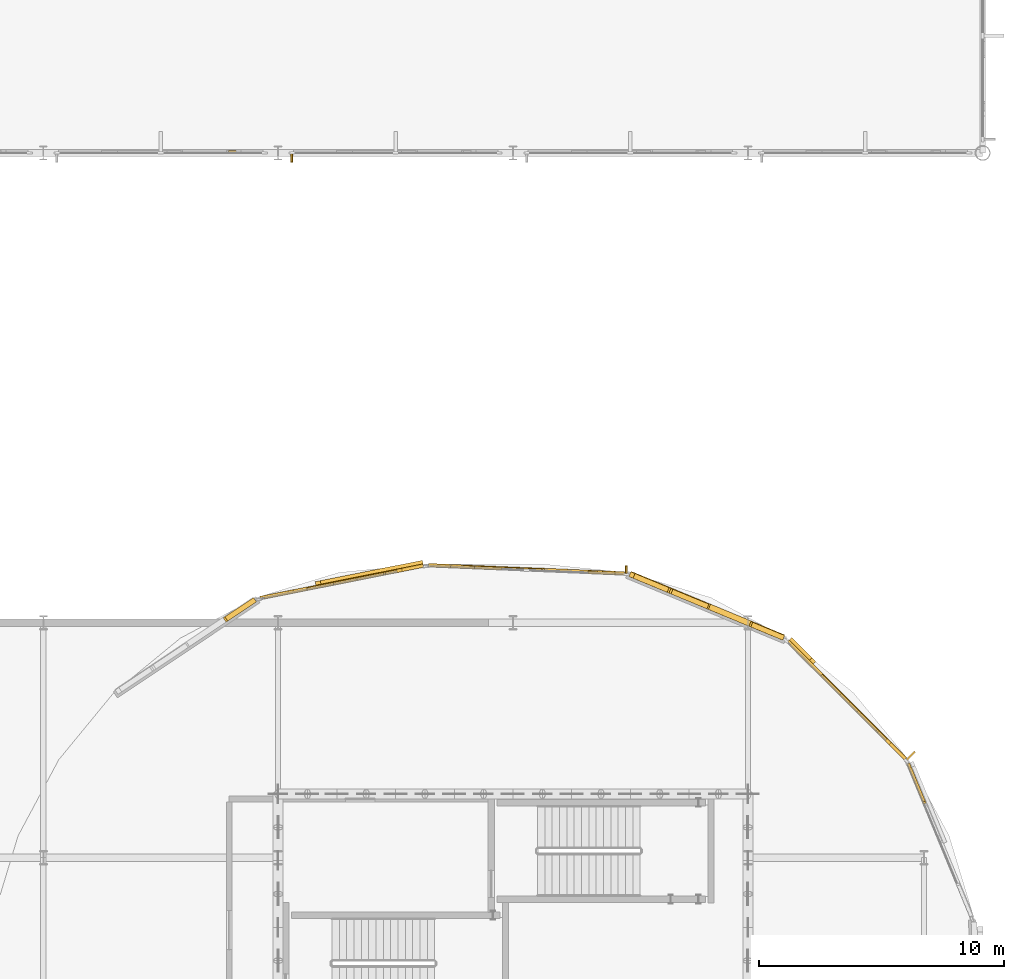
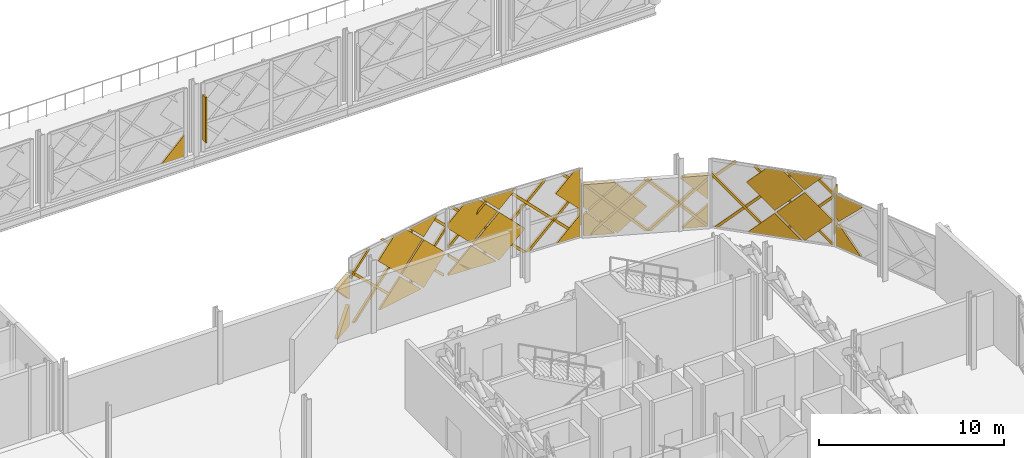
# One storey, part 73 of 77: 47 coverings, 3 shading devices.
"""IFC4 building model written with IfcOpenShell, lengths in metres."""

import ifcopenshell
import ifcopenshell.guid

model = None  # the IFC model being written
_history = None  # IfcOwnerHistory: only IFC2X3 demands one
_inside = {}  # id of a spatial element -> (the spatial element, [elements in it])
_under = {}  # id of a project, library or spatial element -> (it, [spatial elements below it])
_declared = {}  # id of a project -> (the project, [libraries it declares])
_typed = {}  # id of a type object -> (the type object, [elements of that type])
_made_of = {}  # id of a material, layer set ... -> (it, [elements and type objects made of it])


def new_model(schema):
    """Start an empty IFC model of exactly this schema.

    Asked for "IFC4X3", IfcOpenShell would pick the latest addendum, in which some entities
    have other attributes; the version numbers below select the first issue.
    IFC2X3 requires an IfcOwnerHistory on every rooted entity: one is made here for all.
    """
    global model, _history
    if schema == "IFC4X3":
        model = ifcopenshell.file(schema_version=(4, 3, 0, 0))
    else:
        model = ifcopenshell.file(schema=schema)
    _inside.clear()
    _under.clear()
    _declared.clear()
    _typed.clear()
    _made_of.clear()
    _history = None
    if model.schema == "IFC2X3":
        org = make("IfcOrganization", Name="unknown")
        user = make(
            "IfcPersonAndOrganization",
            ThePerson=make("IfcPerson", FamilyName="unknown"),
            TheOrganization=org,
        )
        app = make(
            "IfcApplication",
            ApplicationDeveloper=org,
            Version="unknown",
            ApplicationFullName="unknown",
            ApplicationIdentifier="unknown",
        )
        _history = make(
            "IfcOwnerHistory",
            OwningUser=user,
            OwningApplication=app,
            ChangeAction="ADDED",
            CreationDate=0,
        )
    return model


def make(cls, **values):
    """One entity of the class cls with the attributes given. An attribute that is None is left unset."""
    return model.create_entity(
        cls, **{name: value for name, value in values.items() if value is not None}
    )


def rooted(cls, **values):
    """An entity with a GlobalId (a new one), such as an element, a storey or a relation."""
    return make(cls, GlobalId=ifcopenshell.guid.new(), OwnerHistory=_history, **values)


def si_unit(unit_type, name, prefix=None):
    """IfcSIUnit, for example si_unit("LENGTHUNIT", "METRE", prefix="MILLI")."""
    return make("IfcSIUnit", UnitType=unit_type, Prefix=prefix, Name=name)


def assignment(units):
    """IfcUnitAssignment: the units of a project."""
    return None if units is None else make("IfcUnitAssignment", Units=units)


def point(xyz):
    """IfcCartesianPoint."""
    return None if xyz is None else make("IfcCartesianPoint", Coordinates=xyz)


def direction(xyz):
    """IfcDirection."""
    return None if xyz is None else make("IfcDirection", DirectionRatios=xyz)


def frame(location, z_axis=None, x_axis=None):
    """IfcAxis2Placement3D, a coordinate frame: its origin and axes. An axis left out is left unset."""
    return make(
        "IfcAxis2Placement3D",
        Location=point(location),
        Axis=direction(z_axis),
        RefDirection=direction(x_axis),
    )


def frame_2d(location, x_axis=None):
    """IfcAxis2Placement2D, a coordinate frame in the plane: its origin and x axis."""
    return make(
        "IfcAxis2Placement2D", Location=point(location), RefDirection=direction(x_axis)
    )


def origin():
    """The frame at (0, 0, 0) with its axes left unset."""
    return frame((0.0, 0.0, 0.0))


def origin_2d():
    """The frame at (0, 0) in the plane with its x axis left unset."""
    return frame_2d((0.0, 0.0))


def place(relative_to, where):
    """IfcLocalPlacement: puts the frame where relative to a parent placement (None: the world)."""
    return make(
        "IfcLocalPlacement", PlacementRelTo=relative_to, RelativePlacement=where
    )


def context(
    kind, dimensions, precision=None, world=None, true_north=None, identifier=None
):
    """IfcGeometricRepresentationContext, for example the 3D "Model" context."""
    return make(
        "IfcGeometricRepresentationContext",
        ContextIdentifier=identifier,
        ContextType=kind,
        CoordinateSpaceDimension=dimensions,
        Precision=precision,
        WorldCoordinateSystem=world,
        TrueNorth=true_north,
    )


def subcontext(parent, identifier, kind, view, scale=None):
    """IfcGeometricRepresentationSubContext, for example "Body" below "Model"."""
    return make(
        "IfcGeometricRepresentationSubContext",
        ContextIdentifier=identifier,
        ContextType=kind,
        ParentContext=parent,
        TargetScale=scale,
        TargetView=view,
    )


def project(units=None, contexts=None):
    """IfcProject with its units and contexts."""
    return rooted(
        "IfcProject",
        Name="project",
        RepresentationContexts=contexts,
        UnitsInContext=assignment(units),
    )


def spatial(cls, under=None, at=None, **own):
    """A site, building, storey or space (cls), placed at a placement, below another one or the project."""
    s = rooted(cls, ObjectPlacement=at, **own)
    if under is not None:
        _under.setdefault(under.id(), (under, []))[1].append(s)
    return s


def polyline(points):
    """IfcPolyline through the points."""
    return make("IfcPolyline", Points=[point(p) for p in points])


def profile(cls, at=None, kind="AREA", **sizes):
    """A parametric profile (cls). Its sizes go by their IFC names, for example OverallWidth=200.0."""
    return make(cls, ProfileType=kind, Position=at, **sizes)


def rectangle(**sizes):
    """IfcRectangleProfileDef."""
    return profile("IfcRectangleProfileDef", **sizes)


def outline(outer, holes=None, kind="AREA"):
    """IfcArbitraryClosedProfileDef: a profile drawn as a closed curve; with holes, ...WithVoids."""
    if holes is None:
        return make("IfcArbitraryClosedProfileDef", ProfileType=kind, OuterCurve=outer)
    return make(
        "IfcArbitraryProfileDefWithVoids",
        ProfileType=kind,
        OuterCurve=outer,
        InnerCurves=holes,
    )


def extrude(swept, where, along, depth):
    """IfcExtrudedAreaSolid: the profile swept, set in the frame where, extruded along a direction by depth."""
    return make(
        "IfcExtrudedAreaSolid",
        SweptArea=swept,
        Position=where,
        ExtrudedDirection=direction(along),
        Depth=depth,
    )


def shape(context_of_items, identifier, shape_type, items):
    """IfcShapeRepresentation: the items that make up one representation, for example the "Body"."""
    return make(
        "IfcShapeRepresentation",
        ContextOfItems=context_of_items,
        RepresentationIdentifier=identifier,
        RepresentationType=shape_type,
        Items=items,
    )


def material(Name=None, Category=None):
    """IfcMaterial."""
    return make("IfcMaterial", Name=Name, Category=Category)


def layer(
    of_material, thickness, ventilated=None, Name=None, Category=None, Priority=None
):
    """IfcMaterialLayer: one layer of a wall or slab, of a material (None: an air gap)."""
    return make(
        "IfcMaterialLayer",
        Material=of_material,
        LayerThickness=thickness,
        IsVentilated=ventilated,
        Name=Name,
        Category=Category,
        Priority=Priority,
    )


def layer_set(layers, Name=None):
    """IfcMaterialLayerSet."""
    return make("IfcMaterialLayerSet", MaterialLayers=layers, LayerSetName=Name)


def made_of(thing, what):
    """Note that an element or type object is made of a material, layer set ...; save() writes the relation."""
    if what is not None:
        _made_of.setdefault(what.id(), (what, []))[1].append(thing)
    return thing


def type_object(cls, material=None, **own):
    """A type object (cls), such as IfcWallType, which elements share."""
    return made_of(rooted(cls, **own), material)


def element(
    cls,
    number,
    at=None,
    inside=None,
    cuts=None,
    type_object=None,
    material=None,
    context=None,
    identifier="Body",
    shape_type=None,
    held_by="IfcProductDefinitionShape",
    body=None,
    shapes=None,
    **own,
):
    """One element of the class cls, such as IfcWall. Its Tag is "e" and its number.

    at: its placement. inside: the storey or other place that contains it. cuts: it is an
    opening in that element (IfcRelVoidsElement). A single representation is given by context,
    identifier, shape_type and body (its items); several are given by shapes. held_by: the class
    of the entity that holds the representations. save() writes the other relations.
    """
    e = rooted(cls, Tag="e%d" % number, ObjectPlacement=at, **own)
    if body is not None:
        shapes = [shape(context, identifier, shape_type, body)]
    if shapes is not None:
        e.Representation = make(held_by, Representations=shapes)
    if inside is not None:
        _inside.setdefault(inside.id(), (inside, []))[1].append(e)
    if cuts is not None:
        rooted(
            "IfcRelVoidsElement", RelatingBuildingElement=cuts, RelatedOpeningElement=e
        )
    if type_object is not None:
        _typed.setdefault(type_object.id(), (type_object, []))[1].append(e)
    return made_of(e, material)


def aggregate(whole, parts):
    """IfcRelAggregates: a whole, such as a stair, and the parts it consists of."""
    return rooted("IfcRelAggregates", RelatingObject=whole, RelatedObjects=parts)


def save(model, path):
    """Write the relations noted so far, then the file.

    IfcRelAggregates (storeys below a building ...), IfcRelContainedInSpatialStructure (elements
    in a storey), IfcRelDefinesByType, IfcRelAssociatesMaterial and IfcRelDeclares: one each for
    every whole, place, type object, material and project.
    """
    for whole, parts in _under.values():
        aggregate(whole, parts)
    for where, things in _inside.values():
        rooted(
            "IfcRelContainedInSpatialStructure",
            RelatedElements=things,
            RelatingStructure=where,
        )
    for kind, things in _typed.values():
        rooted("IfcRelDefinesByType", RelatedObjects=things, RelatingType=kind)
    for what, things in _made_of.values():
        rooted("IfcRelAssociatesMaterial", RelatedObjects=things, RelatingMaterial=what)
    for by, libraries in _declared.values():
        rooted("IfcRelDeclares", RelatingContext=by, RelatedDefinitions=libraries)
    model.write(path)


model = new_model("IFC4")

# Units and contexts
model_context = context("Model", 3, precision=1e-05, world=origin(), true_north=direction((0.0, 1.0)))
body_context = subcontext(model_context, "Body", "Model", "MODEL_VIEW")
ifc_project = project(units=[si_unit("LENGTHUNIT", "METRE"), si_unit("AREAUNIT", "SQUARE_METRE"), si_unit("VOLUMEUNIT", "CUBIC_METRE"), si_unit("PLANEANGLEUNIT", "RADIAN"), si_unit("MASSUNIT", "GRAM", prefix="KILO")], contexts=[model_context])

# Site, building, storey
site_placement = place(None, origin())
site = spatial("IfcSite", under=ifc_project, at=site_placement, CompositionType="ELEMENT")
building_placement = place(site_placement, origin())
building = spatial("IfcBuilding", under=site, at=building_placement, Name="Zevrakil Square Congress Hotel", CompositionType="ELEMENT")
storey_placement = place(building_placement, frame((0.0, 0.0, 9.89990234375)))
storey = spatial("IfcBuildingStorey", under=building, at=storey_placement, Name="L03", CompositionType="ELEMENT", Elevation=9.89990234375)

# Coverings
ifc_material_1 = material(Name="Architectural White Fibre-C GRC", Category="concrete")
ifc_layer_1 = layer(ifc_material_1, 0.06494140625)
ifc_layer_set_1 = layer_set([ifc_layer_1], Name="Architectural White Fibre-C GRC")
covering_type_1 = type_object("IfcCoveringType", Name="COV-DIA-WHITE", PredefinedType="CLADDING", material=ifc_layer_set_1)
covering_1_placement = place(storey_placement, frame((134.77001953125, 64.89501953125, 0.080078125), z_axis=(0.0, 0.999999760125, 0.000692640526), x_axis=(1.0, 0.0, 0.0)))
element("IfcCovering", 1, at=covering_1_placement, inside=storey, type_object=covering_type_1, Name="L03 45-degree white GRC diamond facade cassette 1076", PredefinedType="CLADDING", context=body_context, shape_type="SweptSolid", body=[
    extrude(outline(polyline([(0.0, 0.0), (1.409912109375, 0.0), (1.409912109375, -1.4099124475784228), (0.0, 0.0)])), origin(), (0.0, 0.0, -1.0), 0.1201171875),
])
covering_2_placement = place(storey_placement, frame((162.680419921875, 39.702392578125, 1.590087890625), z_axis=(0.923895314836, 0.382644956213, 0.000533581003), x_axis=(-0.270030659296, 0.652975094323, -0.707606507343)))
element("IfcCovering", 2, at=covering_2_placement, inside=storey, type_object=covering_type_1, Name="L03 45-degree white GRC diamond facade cassette 2131", PredefinedType="CLADDING", context=body_context, shape_type="SweptSolid", body=[
    extrude(outline(polyline([(0.0, 0.0), (0.2625624975971287, -2.7755575615628914e-17), (1.1997093613763437, -0.9355809979847188), (0.0015617436959354247, -2.1354241456275784), (0.0, 0.0)])), origin(), (0.0, 0.0, -1.0), 0.1201171875),
])
covering_3_placement = place(storey_placement, frame((162.68017578125, 39.7021484375, 1.77001953125), z_axis=(0.92389883176, 0.38263639408, 0.000581891654), x_axis=(0.270164350421, -0.653403654101, 0.707159733419)))
element("IfcCovering", 3, at=covering_3_placement, inside=storey, type_object=covering_type_1, Name="L03 45-degree white GRC diamond facade cassette 2134", PredefinedType="CLADDING", context=body_context, shape_type="SweptSolid", body=[
    extrude(outline(polyline([(0.0, 0.0), (2.2485555268516664, 0.0), (2.248618694885084, -0.13425579736961657), (1.060163240113101, -1.3228895909740315), (-2.006885359270849e-05, -0.2627880827285959), (0.0, 0.0)])), origin(), (0.0, 0.0, -1.0), 0.1201171875),
])
covering_4_placement = place(storey_placement, frame((160.174560546875, 42.372802734375, 1.590087890625), z_axis=(0.707106665659, 0.707106665659, 0.000571630288), x_axis=(-0.499716692516, 0.500288319938, -0.707103121302)))
element("IfcCovering", 4, at=covering_4_placement, inside=storey, type_object=covering_type_1, Name="L03 45-degree white GRC diamond facade cassette 2139", PredefinedType="CLADDING", context=body_context, shape_type="SweptSolid", body=[
    extrude(outline(polyline([(0.0, 0.0), (2.1354873428434074, 0.0), (-2.1408116838594893e-05, -2.1354873427360994), (0.0, 0.0)])), origin(), (0.0, 0.0, -1.0), 0.1201171875),
])
covering_5_placement = place(storey_placement, frame((161.36181640625, 41.18408203125, 3.27001953125), z_axis=(0.707145162366, 0.707068147318, 0.000595307577), x_axis=(-0.499692481181, 0.500342227839, -0.707082088086)))
element("IfcCovering", 5, at=covering_5_placement, inside=storey, type_object=covering_type_1, Name="L03 45-degree white GRC diamond facade cassette 2140", PredefinedType="CLADDING", context=body_context, shape_type="SweptSolid", body=[
    extrude(outline(polyline([(0.0, 0.0), (2.2484571147202486, 2.220446049250313e-16), (2.2483515023374236, -2.2487517419299765), (0.013879810001214299, -2.248577487925134), (-0.00027564195754137266, -2.234421052311618), (0.0, 0.0)])), origin(), (0.0, 0.0, -1.0), 0.1201171875),
])
covering_6_placement = place(storey_placement, frame((159.049560546875, 43.49609375, 3.360107421875), z_axis=(0.707106668087, 0.707106668087, 0.000565592401), x_axis=(0.500261775638, -0.499696159446, -0.707136411218)))
element("IfcCovering", 6, at=covering_6_placement, inside=storey, type_object=covering_type_1, Name="L03 45-degree white GRC diamond facade cassette 2141", PredefinedType="CLADDING", context=body_context, shape_type="SweptSolid", body=[
    extrude(outline(polyline([(0.0, 0.0), (2.248629744671379, -2.220446049250313e-16), (2.2484405718074747, -2.2486297367140065), (0.6928440094092349, -2.2487409365210675), (-0.0002420691316359358, -1.5555965475383242), (0.0, 0.0)])), origin(), (0.0, 0.0, -1.0), 0.1201171875),
])
covering_7_placement = place(storey_placement, frame((161.36181640625, 41.18408203125, 3.4501953125), z_axis=(0.707167000742, 0.707046138154, 0.00076914415), x_axis=(0.499589643819, -0.50044422754, 0.707082571494)))
element("IfcCovering", 7, at=covering_7_placement, inside=storey, type_object=covering_type_1, Name="L03 45-degree white GRC diamond facade cassette 2142", PredefinedType="CLADDING", context=body_context, shape_type="SweptSolid", body=[
    extrude(outline(polyline([(0.0, 0.0), (1.428418414402128, 1.1102230246251565e-16), (2.5203543360552416e-05, -1.4282962510532298), (0.0, 0.0)])), origin(), (0.0, 0.0, -1.0), 0.1201171875),
])
covering_8_placement = place(storey_placement, frame((156.2001953125, 45.618896484375, 0.080078125), z_axis=(0.382647378607, 0.923894304185, 0.000546204379), x_axis=(0.923894442002, -0.382647435687, 0.0)))
element("IfcCovering", 8, at=covering_8_placement, inside=storey, type_object=covering_type_1, Name="L03 45-degree white GRC diamond facade cassette 2149", PredefinedType="CLADDING", context=body_context, shape_type="SweptSolid", body=[
    extrude(outline(polyline([(0.0, 0.0), (1.4100467713356626, 5.421010862427522e-20), (1.4101014705214678, -1.4099123196910894), (0.0, 0.0)])), origin(), (0.0, 0.0, -1.0), 0.2099609375),
])
covering_9_placement = place(storey_placement, frame((151.386474609375, 47.61181640625, 1.590087890625), z_axis=(0.382570018868, 0.923926368417, 0.000496394352), x_axis=(-0.653279316643, 0.270883091636, -0.706999635865)))
element("IfcCovering", 9, at=covering_9_placement, inside=storey, type_object=covering_type_1, Name="L03 45-degree white GRC diamond facade cassette 2150", PredefinedType="CLADDING", context=body_context, shape_type="SweptSolid", body=[
    extrude(outline(polyline([(0.0, 0.0), (0.2627880725709064, 0.0), (1.198983021740163, -0.9365332884107176), (-0.0003536551855745085, -2.13550696018273), (0.0, 0.0)])), origin(), (0.0, 0.0, -1.0), 0.2099609375),
])
covering_10_placement = place(storey_placement, frame((152.938232421875, 46.968017578125, 3.27001953125), z_axis=(0.382706563363, 0.923869766001, 0.000584660887), x_axis=(-0.653132129018, 0.271002872301, -0.707089715135)))
element("IfcCovering", 10, at=covering_10_placement, inside=storey, type_object=covering_type_1, Name="L03 45-degree white GRC diamond facade cassette 2151", PredefinedType="CLADDING", context=body_context, shape_type="SweptSolid", body=[
    extrude(outline(polyline([(0.0, 0.0), (2.248432898013327, 0.0), (2.248481729332658, -2.248621490819346), (-0.00028325409183871386, -2.248608378917324), (0.0, 0.0)])), origin(), (0.0, 0.0, -1.0), 0.2099609375),
])
covering_11_placement = place(storey_placement, frame((156.12548828125, 45.647705078125, 3.360107421875), z_axis=(0.382684320665, 0.923878984433, 0.000576923921), x_axis=(0.653442514955, -0.270223985644, -0.707101037499)))
element("IfcCovering", 11, at=covering_11_placement, inside=storey, type_object=covering_type_1, Name="L03 45-degree white GRC diamond facade cassette 2152", PredefinedType="CLADDING", context=body_context, shape_type="SweptSolid", body=[
    extrude(outline(polyline([(0.0, 0.0), (2.1071815797664835, 0.0), (0.9865584152119449, -1.1208505266723334), (0.00010751358829294566, -0.13441525572816707), (0.0, 0.0)])), origin(), (0.0, 0.0, -1.0), 0.2099609375),
])
covering_12_placement = place(storey_placement, frame((151.386474609375, 47.61181640625, 1.77001953125), z_axis=(0.382626980656, 0.923902752355, 0.000545770958), x_axis=(0.653115792218, -0.270900440166, 0.707144054259)))
element("IfcCovering", 12, at=covering_12_placement, inside=storey, type_object=covering_type_1, Name="L03 45-degree white GRC diamond facade cassette 2153", PredefinedType="CLADDING", context=body_context, shape_type="SweptSolid", body=[
    extrude(outline(polyline([(0.0, 0.0), (2.2486055210527374, -2.220446049250313e-16), (2.248665653405223, -0.1342557418905992), (1.0603433394642547, -1.3227036878188894), (0.00010622453949046817, -0.2626559885711962), (0.0, 0.0)])), origin(), (0.0, 0.0, -1.0), 0.2099609375),
])
covering_13_placement = place(storey_placement, frame((149.552978515625, 47.72314453125, 0.080078125), z_axis=(0.041896976357, 0.999121696523, 0.000692032344), x_axis=(0.999121935767, -0.04189698639, 0.0)))
element("IfcCovering", 13, at=covering_13_placement, inside=storey, type_object=covering_type_1, Name="L03 45-degree white GRC diamond facade cassette 2158", PredefinedType="CLADDING", context=body_context, shape_type="SweptSolid", body=[
    extrude(outline(polyline([(0.0, 0.0), (1.4101737700243122, 0.0), (1.4102146850500834, -1.409912446984755), (0.0, 0.0)])), origin(), (0.0, 0.0, -1.0), 0.1201171875),
])
covering_14_placement = place(storey_placement, frame((144.34765625, 47.94091796875, 1.590087890625), z_axis=(0.041974445803, 0.999118441306, 0.000697238175), x_axis=(-0.706474717837, 0.030173497941, -0.70709478366)))
element("IfcCovering", 14, at=covering_14_placement, inside=storey, type_object=covering_type_1, Name="L03 45-degree white GRC diamond facade cassette 2159", PredefinedType="CLADDING", context=body_context, shape_type="SweptSolid", body=[
    extrude(outline(polyline([(0.0, 0.0), (1.9797943070048898, 1.1102230246251565e-16), (2.057658057231639, -0.07785186199873095), (-8.714227631179128e-05, -2.135528070962346), (0.0, 0.0)])), origin(), (0.0, 0.0, -1.0), 0.1201171875),
])
covering_15_placement = place(storey_placement, frame((146.026123046875, 47.869384765625, 3.27001953125), z_axis=(0.041994571598, 0.999117650418, 0.000613661513), x_axis=(-0.706515368195, 0.030130288723, -0.707056009242)))
element("IfcCovering", 15, at=covering_15_placement, inside=storey, type_object=covering_type_1, Name="L03 45-degree white GRC diamond facade cassette 2160", PredefinedType="CLADDING", context=body_context, shape_type="SweptSolid", body=[
    extrude(outline(polyline([(0.0, 0.0), (2.248540149730517, -2.220446049250313e-16), (2.2484486237040513, -2.24865467342334), (-0.0002567910949526908, -2.2484748843031896), (0.0, 0.0)])), origin(), (0.0, 0.0, -1.0), 0.1201171875),
])
covering_16_placement = place(storey_placement, frame((149.47314453125, 47.724609375, 3.360107421875), z_axis=(0.041945250307, 0.99911969038, 0.000663529392), x_axis=(0.706515841196, -0.029191503105, -0.707094917452)))
element("IfcCovering", 16, at=covering_16_placement, inside=storey, type_object=covering_type_1, Name="L03 45-degree white GRC diamond facade cassette 2161", PredefinedType="CLADDING", context=body_context, shape_type="SweptSolid", body=[
    extrude(outline(polyline([(0.0, 0.0), (2.1071997411136385, -2.220446049250313e-16), (0.2758116457223294, -1.8315501209972953), (-0.00013113481908288982, -1.555616488631129), (0.0, 0.0)])), origin(), (0.0, 0.0, -1.0), 0.1201171875),
])
covering_17_placement = place(storey_placement, frame((144.34765625, 47.94091796875, 1.77001953125), z_axis=(0.041943184535, 0.999119821487, 0.000592945043), x_axis=(0.706461025173, -0.030076977151, 0.707112576155)))
element("IfcCovering", 17, at=covering_17_placement, inside=storey, type_object=covering_type_1, Name="L03 45-degree white GRC diamond facade cassette 2162", PredefinedType="CLADDING", context=body_context, shape_type="SweptSolid", body=[
    extrude(outline(polyline([(0.0, 0.0), (2.248705425285876, -4.440892098500626e-16), (2.248746298106704, -1.5557455147050638), (1.5557047499844812, -2.2487985396918964), (0.2686616093494628, -2.24869702634159), (3.4352153584382705e-05, -1.9800887480250475), (0.0, 0.0)])), origin(), (0.0, 0.0, -1.0), 0.1201171875),
])
covering_18_placement = place(storey_placement, frame((146.026123046875, 47.869384765625, 3.4501953125), z_axis=(0.041942244073, 0.999119854483, 0.000603770761), x_axis=(0.70644480279, -0.030083301546, 0.707128514189)))
element("IfcCovering", 18, at=covering_18_placement, inside=storey, type_object=covering_type_1, Name="L03 45-degree white GRC diamond facade cassette 2163", PredefinedType="CLADDING", context=body_context, shape_type="SweptSolid", body=[
    extrude(outline(polyline([(0.0, 0.0), (1.4283256089362564, 0.0), (0.0001245236092505264, -1.4282894018994583), (0.0, 0.0)])), origin(), (0.0, 0.0, -1.0), 0.1201171875),
])
covering_19_placement = place(storey_placement, frame((139.53125, 47.3466796875, 1.590087890625), z_axis=(-0.195074358725, 0.980788280172, 0.000586553491), x_axis=(-0.693609627274, -0.137532945708, -0.707099974401)))
element("IfcCovering", 19, at=covering_19_placement, inside=storey, type_object=covering_type_1, Name="L03 45-degree white GRC diamond facade cassette 2171", PredefinedType="CLADDING", context=body_context, shape_type="SweptSolid", body=[
    extrude(outline(polyline([(0.0, 0.0), (2.135496846686384, 0.0), (6.252147105900718e-05, -2.1353939480228528), (0.0, 0.0)])), origin(), (0.0, 0.0, -1.0), 0.1201171875),
])
covering_20_placement = place(storey_placement, frame((141.17919921875, 47.673583984375, 3.27001953125), z_axis=(-0.195079289545, 0.980787317626, 0.000555314789), x_axis=(-0.693673429801, -0.137571819417, -0.707029820651)))
element("IfcCovering", 20, at=covering_20_placement, inside=storey, type_object=covering_type_1, Name="L03 45-degree white GRC diamond facade cassette 2172", PredefinedType="CLADDING", context=body_context, shape_type="SweptSolid", body=[
    extrude(outline(polyline([(0.0, 0.0), (2.2486233472368493, -2.220446049250313e-16), (2.2484100971935583, -2.2486930499518007), (0.013903541461405267, -2.248388532140485), (-0.000250864127802064, -2.2342310496561204), (0.0, 0.0)])), origin(), (0.0, 0.0, -1.0), 0.1201171875),
])
covering_21_placement = place(storey_placement, frame((137.971923828125, 47.035400390625, 3.360107421875), z_axis=(-0.195145788458, 0.980774060359, 0.000603136905), x_axis=(0.693429671849, 0.138407373498, -0.707105854282)))
element("IfcCovering", 21, at=covering_21_placement, inside=storey, type_object=covering_type_1, Name="L03 45-degree white GRC diamond facade cassette 2173", PredefinedType="CLADDING", context=body_context, shape_type="SweptSolid", body=[
    extrude(outline(polyline([(0.0, 0.0), (2.248726841858473, 0.0), (2.2486317386004364, -2.248626632208223), (0.6930002510389947, -2.2487702446865505), (3.0135921848084557e-05, -1.5558016228267455), (0.0, 0.0)])), origin(), (0.0, 0.0, -1.0), 0.1201171875),
])
covering_22_placement = place(storey_placement, frame((141.17919921875, 47.67333984375, 3.4501953125), z_axis=(-0.195070084477, 0.980789179389, 0.000497731061), x_axis=(0.693597614531, 0.137591443987, 0.707100377357)))
element("IfcCovering", 22, at=covering_22_placement, inside=storey, type_object=covering_type_1, Name="L03 45-degree white GRC diamond facade cassette 2174", PredefinedType="CLADDING", context=body_context, shape_type="SweptSolid", body=[
    extrude(outline(polyline([(0.0, 0.0), (1.4283824446539155, -1.1102230246251565e-16), (9.096872206626472e-06, -1.4283478301895025), (0.0, 0.0)])), origin(), (0.0, 0.0, -1.0), 0.1201171875),
])
covering_23_placement = place(storey_placement, frame((134.6240234375, 45.845703125, 0.080078125), z_axis=(-0.555618744269, 0.831436961663, 0.000624337381), x_axis=(0.831437123709, 0.555618852558, 0.0)))
element("IfcCovering", 23, at=covering_23_placement, inside=storey, type_object=covering_type_1, Name="L03 45-degree white GRC diamond facade cassette 2181", PredefinedType="CLADDING", context=body_context, shape_type="SweptSolid", body=[
    extrude(outline(polyline([(0.0, 0.0), (1.4100444252712594, -5.421010862427522e-20), (1.4100434530275447, -1.409912384164952), (0.0, 0.0)])), origin(), (0.0, 0.0, -1.0), 0.2099609375),
])
covering_24_placement = place(storey_placement, frame((134.55859375, 45.799560546875, 3.360107421875), z_axis=(-0.555604670177, 0.831446334138, 0.000666277863), x_axis=(0.587650947316, 0.393257789285, -0.707117158104)))
element("IfcCovering", 24, at=covering_24_placement, inside=storey, type_object=covering_type_1, Name="L03 45-degree white GRC diamond facade cassette 2184", PredefinedType="CLADDING", context=body_context, shape_type="SweptSolid", body=[
    extrude(outline(polyline([(0.0, 0.0), (2.1071334368968846, 0.0), (0.9865227408666488, -1.1208630213445665), (6.689817217096772e-05, -0.1343778250450141), (0.0, 0.0)])), origin(), (0.0, 0.0, -1.0), 0.2099609375),
])
ifc_material_2 = material(Name="Anodised Champagne Aluminium", Category="aluminium")
ifc_layer_2 = layer(ifc_material_2, 0.0849609375)
ifc_layer_set_2 = layer_set([ifc_layer_2], Name="Anodised Champagne Aluminium")
covering_type_2 = type_object("IfcCoveringType", Name="COV-DIAGRID-45", PredefinedType="MOLDING", material=ifc_layer_set_2)
covering_25_placement = place(storey_placement, frame((162.49658203125, 40.08447265625, 3.35400390625), z_axis=(0.70718069345, 0.707032505797, 0.000708912874), x_axis=(-0.000501329624, -0.000501224571, 0.999999748721)))
element("IfcCovering", 25, at=covering_25_placement, inside=storey, type_object=covering_type_2, Name="L03 45-degree aluminium diagrid rib 2143", PredefinedType="MOLDING", context=body_context, shape_type="SweptSolid", body=[
    extrude(outline(polyline([(0.0, 0.0), (0.2121581498141492, 0.0), (1.1062014498399317, -0.8938961417255511), (1.1062013432182167, -1.1060627197043602), (0.0, 0.0)])), origin(), (0.0, 0.0, -1.0), 0.14501953125),
])
covering_26_placement = place(storey_placement, frame((162.437255859375, 40.146728515625, 0.080078125), z_axis=(0.707279617714, 0.706933439069, 0.000809378157), x_axis=(0.706933669807, -0.707279850195, 1.423875e-06)))
element("IfcCovering", 26, at=covering_26_placement, inside=storey, type_object=covering_type_2, Name="L03 45-degree aluminium diagrid rib 2144", PredefinedType="MOLDING", context=body_context, shape_type="SweptSolid", body=[
    extrude(outline(polyline([(0.0, 0.0), (0.08614415193617501, -6.776263578034403e-21), (0.08614433165870775, -0.12622066178171568), (-4.167883389794898, -4.380134374627165), (-4.379877311006064, -4.380134718481223), (0.0, 0.0)])), origin(), (0.0, 0.0, -1.0), 0.14501953125),
])
covering_27_placement = place(storey_placement, frame((160.061279296875, 42.522705078125, 0.080078125), z_axis=(0.707174087826, 0.707039103479, 0.00071809405), x_axis=(0.707039285809, -0.707174270122, -6.8541e-08)))
element("IfcCovering", 27, at=covering_27_placement, inside=storey, type_object=covering_type_2, Name="L03 45-degree aluminium diagrid rib 2145", PredefinedType="MOLDING", context=body_context, shape_type="SweptSolid", body=[
    extrude(outline(polyline([(0.0, 0.0), (0.21233919357851885, 0.0), (-3.3592751264127507, -3.571778034412277), (-3.35944776183953, -3.3596197620208517), (0.0, 0.0)])), origin(), (0.0, 0.0, -1.0), 0.14501953125),
])
covering_28_placement = place(storey_placement, frame((162.496826171875, 40.08447265625, 3.154052734375), z_axis=(0.707039629863, 0.707173560627, 0.000718994408), x_axis=(-0.001083840098, 6.6919806e-05, 0.999999410406)))
element("IfcCovering", 28, at=covering_28_placement, inside=storey, type_object=covering_type_2, Name="L03 45-degree aluminium diagrid rib 2146", PredefinedType="MOLDING", context=body_context, shape_type="SweptSolid", body=[
    extrude(outline(polyline([(0.0, 0.0), (0.2121583426471989, 0.0), (-3.071300247095766, -3.2885787623122615), (-3.071472748702362, -3.0765849058833195), (0.0, 0.0)])), origin(), (0.0, 0.0, -1.0), 0.14501953125),
])
covering_29_placement = place(storey_placement, frame((161.0439453125, 41.536376953125, 4.460205078125), z_axis=(0.707106657616, 0.707106657616, 0.000591193348), x_axis=(-0.707106781388, 0.707106780985, 4.81036e-07)))
element("IfcCovering", 29, at=covering_29_placement, inside=storey, type_object=covering_type_2, Name="L03 45-degree aluminium diagrid rib 2147", PredefinedType="MOLDING", context=body_context, shape_type="SweptSolid", body=[
    extrude(outline(polyline([(0.0, 0.0), (0.21216656105428894, -1.3552527156068805e-20), (4.5922214004080235, -4.380129927598066), (4.380054839353833, -4.380129723478523), (0.0, 0.0)])), origin(), (0.0, 0.0, -1.0), 0.14501953125),
])
covering_30_placement = place(storey_placement, frame((158.66796875, 43.912109375, 4.460205078125), z_axis=(-0.707607939929, -0.706605259245, 0.000104671254), x_axis=(-0.706605263115, 0.707607943806, 1.0956e-08)))
element("IfcCovering", 30, at=covering_30_placement, inside=storey, type_object=covering_type_2, Name="L03 45-degree aluminium diagrid rib 2148", PredefinedType="MOLDING", context=body_context, shape_type="SweptSolid", body=[
    extrude(outline(polyline([(0.0, 0.0), (0.21216663012540504, 0.0), (1.3915988242826023, 1.179687521708221), (1.3915988219582742, 1.3918457236710107), (0.0, 0.0)])), origin(), (0.0, 0.0, -1.0), 0.14501953125),
])
covering_31_placement = place(storey_placement, frame((157.43310546875, 45.13525390625, 0.080078125), z_axis=(0.38310289976, 0.923705085696, 0.00104060284), x_axis=(0.92370558559, -0.383103107727, 5.66969e-07)))
element("IfcCovering", 31, at=covering_31_placement, inside=storey, type_object=covering_type_2, Name="L03 45-degree aluminium diagrid rib 2154", PredefinedType="MOLDING", context=body_context, shape_type="SweptSolid", body=[
    extrude(outline(polyline([(0.0, 0.0), (0.08591875851069201, -6.776263578034403e-21), (0.08591883007389613, -0.12622063478564755), (-3.163056523861557, -3.375003662732843), (-3.375064632874258, -3.3750036952183486), (0.0, 0.0)])), origin(), (0.0, 0.0, -1.0), 0.235107421875),
])
covering_32_placement = place(storey_placement, frame((154.328857421875, 46.421142578125, 0.080078125), z_axis=(0.382564756615, 0.923928557763, 0.000476598435), x_axis=(0.923928662742, -0.382564799954, -2.49683e-07)))
element("IfcCovering", 32, at=covering_32_placement, inside=storey, type_object=covering_type_2, Name="L03 45-degree aluminium diagrid rib 2155", PredefinedType="MOLDING", context=body_context, shape_type="SweptSolid", body=[
    extrude(outline(polyline([(0.0, 0.0), (0.21214019281408666, 6.776263578034403e-21), (-3.162835244565591, -3.374999597140169), (-3.3597442721360316, -3.3749994917537887), (-3.359744268295688, -3.35961863412564), (0.0, 0.0)])), origin(), (0.0, 0.0, -1.0), 0.235107421875),
])
covering_33_placement = place(storey_placement, frame((157.51171875, 45.1005859375, 3.154052734375), z_axis=(0.382670512663, 0.9238846634, 0.00063833535), x_axis=(-0.000244272165, -0.00058974836, 0.999999796264)))
element("IfcCovering", 33, at=covering_33_placement, inside=storey, type_object=covering_type_2, Name="L03 45-degree aluminium diagrid rib 2156", PredefinedType="MOLDING", context=body_context, shape_type="SweptSolid", body=[
    extrude(outline(polyline([(0.0, 0.0), (0.2121581599007299, 0.0), (-3.0739752356545123, -3.2860232865975085), (-3.0739753221030615, -3.0738831078997313), (0.0, 0.0)])), origin(), (0.0, 0.0, -1.0), 0.235107421875),
])
covering_34_placement = place(storey_placement, frame((154.685791015625, 46.27099609375, 3.455078125), z_axis=(0.3830628978, 0.923722243044, 0.000184483625), x_axis=(-0.923722258763, 0.383062904319, 0.0)))
element("IfcCovering", 34, at=covering_34_placement, inside=storey, type_object=covering_type_2, Name="L03 45-degree aluminium diagrid rib 2157", PredefinedType="MOLDING", context=body_context, shape_type="SweptSolid", body=[
    extrude(outline(polyline([(0.0, 0.0), (0.21223362327273487, -1.6940658945086007e-21), (3.587350026893361, -3.375000057432728), (3.3751164036206265, -3.375000057432728), (0.0, 0.0)])), origin(), (0.0, 0.0, -1.0), 0.235107421875),
])
covering_35_placement = place(storey_placement, frame((150.962890625, 47.68701171875, 3.35400390625), z_axis=(0.04198230363, 0.999118170579, 0.000606136664), x_axis=(-2.5447018e-05, -0.000605602266, 0.999999816299)))
element("IfcCovering", 35, at=covering_35_placement, inside=storey, type_object=covering_type_2, Name="L03 45-degree aluminium diagrid rib 2164", PredefinedType="MOLDING", context=body_context, shape_type="SweptSolid", body=[
    extrude(outline(polyline([(0.0, 0.0), (0.2121581641513589, 0.0), (1.1062013750851267, -0.8940706510567458), (1.1062012971378374, -1.1061771151420998), (0.0, 0.0)])), origin(), (0.0, 0.0, -1.0), 0.14501953125),
])
covering_36_placement = place(storey_placement, frame((150.876953125, 47.692626953125, 0.080078125), z_axis=(0.041654059908, 0.999132054407, 0.000277758857), x_axis=(0.999132092945, -0.041654061586, 2.56025e-07)))
element("IfcCovering", 36, at=covering_36_placement, inside=storey, type_object=covering_type_2, Name="L03 45-degree aluminium diagrid rib 2165", PredefinedType="MOLDING", context=body_context, shape_type="SweptSolid", body=[
    extrude(outline(polyline([(0.0, 0.0), (0.08601545596693055, 0.0), (0.08601548828262841, -0.12622069825603324), (-4.1678709188226915, -4.380128197496295), (-4.379967159763522, -4.380128264477162), (0.0, 0.0)])), origin(), (0.0, 0.0, -1.0), 0.14501953125),
])
covering_37_placement = place(storey_placement, frame((147.52001953125, 47.833740234375, 0.080078125), z_axis=(0.042013553928, 0.999116844107, 0.000626982744), x_axis=(0.999117040477, -0.042013562432, 3.91289e-07)))
element("IfcCovering", 37, at=covering_37_placement, inside=storey, type_object=covering_type_2, Name="L03 45-degree aluminium diagrid rib 2166", PredefinedType="MOLDING", context=body_context, shape_type="SweptSolid", body=[
    extrude(outline(polyline([(0.0, 0.0), (0.21186254294521145, 8.470329472543003e-22), (-4.167869608002447, -4.380129444897531), (-4.380209743847689, -4.380129610883408), (0.0, 0.0)])), origin(), (0.0, 0.0, -1.0), 0.14501953125),
])
covering_38_placement = place(storey_placement, frame((144.162841796875, 47.974609375, 0.080078125), z_axis=(0.04143477667, 0.999141210873, 4.259726e-06), x_axis=(0.999141210882, -0.04143477667, 1.8e-11)))
element("IfcCovering", 38, at=covering_38_placement, inside=storey, type_object=covering_type_2, Name="L03 45-degree aluminium diagrid rib 2167", PredefinedType="MOLDING", context=body_context, shape_type="SweptSolid", body=[
    extrude(outline(polyline([(0.0, 0.0), (0.21209624585095316, -6.617444900424222e-24), (-1.213932885632032, -1.4260253906599463), (-1.2139328856358738, -1.214111328161869), (0.0, 0.0)])), origin(), (0.0, 0.0, -1.0), 0.14501953125),
])
covering_39_placement = place(storey_placement, frame((150.962890625, 47.687255859375, 3.154052734375), z_axis=(0.041429795367, 0.999140766463, 0.001140547241), x_axis=(3.8165e-07, -0.001141543162, 0.999999348439)))
element("IfcCovering", 39, at=covering_39_placement, inside=storey, type_object=covering_type_2, Name="L03 45-degree aluminium diagrid rib 2168", PredefinedType="MOLDING", context=body_context, shape_type="SweptSolid", body=[
    extrude(outline(polyline([(0.0, 0.0), (0.21215834358811786, -1.6940658945086007e-21), (-3.07413327424853, -3.2860232740116366), (-3.074123160277258, -3.0739270284089137), (0.0, 0.0)])), origin(), (0.0, 0.0, -1.0), 0.14501953125),
])
covering_40_placement = place(storey_placement, frame((148.91064453125, 47.772705078125, 4.460205078125), z_axis=(0.042013555951, 0.999116892199, 0.000544828623), x_axis=(-0.999117040495, 0.042013562016, 3.13295e-07)))
element("IfcCovering", 40, at=covering_40_placement, inside=storey, type_object=covering_type_2, Name="L03 45-degree aluminium diagrid rib 2169", PredefinedType="MOLDING", context=body_context, shape_type="SweptSolid", body=[
    extrude(outline(polyline([(0.0, 0.0), (0.21209621078658775, -8.470329472543003e-22), (4.592044104922477, -4.380129041884264), (4.3799376369186005, -4.380128908983697), (0.0, 0.0)])), origin(), (0.0, 0.0, -1.0), 0.14501953125),
])
covering_41_placement = place(storey_placement, frame((145.5537109375, 47.91357421875, 4.460205078125), z_axis=(0.042008059643, 0.999117109625, 0.000569366885), x_axis=(-0.999117271564, 0.04200806664, -3.30521e-07)))
element("IfcCovering", 41, at=covering_41_placement, inside=storey, type_object=covering_type_2, Name="L03 45-degree aluminium diagrid rib 2170", PredefinedType="MOLDING", context=body_context, shape_type="SweptSolid", body=[
    extrude(outline(polyline([(0.0, 0.0), (0.21210646732984484, -1.6940658945086007e-21), (2.6061183116635664, -2.39404249542134), (2.6061286376620116, -2.6062008030372388), (0.0, 0.0)])), origin(), (0.0, 0.0, -1.0), 0.14501953125),
])
covering_42_placement = place(storey_placement, frame((142.723876953125, 48.006103515625, 3.35400390625), z_axis=(-0.195514422756, 0.980700824175, 6.2902763e-05), x_axis=(1.2298397e-05, -6.1688791e-05, 0.999999998022)))
element("IfcCovering", 42, at=covering_42_placement, inside=storey, type_object=covering_type_2, Name="L03 45-degree aluminium diagrid rib 2175", PredefinedType="MOLDING", context=body_context, shape_type="SweptSolid", body=[
    extrude(outline(polyline([(0.0, 0.0), (0.21215820270527072, 3.5940997615429052e-22), (1.1062011740634852, -0.8937266339658204), (1.1062011732240264, -1.1060741087242643), (0.0, 0.0)])), origin(), (0.0, 0.0, -1.0), 0.14501953125),
])
covering_43_placement = place(storey_placement, frame((142.63916015625, 47.9912109375, 0.080078125), z_axis=(0.195757754461, -0.980652277703, 0.000108647322), x_axis=(0.98065228349, 0.19575775562, 3.9707e-08)))
element("IfcCovering", 43, at=covering_43_placement, inside=storey, type_object=covering_type_2, Name="L03 45-degree aluminium diagrid rib 2176", PredefinedType="MOLDING", context=body_context, shape_type="SweptSolid", body=[
    extrude(outline(polyline([(0.0, 0.0), (0.0858965632182403, 0.0), (0.08589656823003912, 0.12622070238003014), (-4.167946953512625, 4.380127145758009), (-4.380055001361522, 4.380127156162059), (0.0, 0.0)])), origin(), (0.0, 0.0, -1.0), 0.14501953125),
])
covering_44_placement = place(storey_placement, frame((139.34375, 47.3359375, 0.080078125), z_axis=(-0.195114311387, 0.980780349182, 0.000558704592), x_axis=(0.980780502291, 0.195114341669, 3.12295e-07)))
element("IfcCovering", 44, at=covering_44_placement, inside=storey, type_object=covering_type_2, Name="L03 45-degree aluminium diagrid rib 2177", PredefinedType="MOLDING", context=body_context, shape_type="SweptSolid", body=[
    extrude(outline(polyline([(0.0, 0.0), (0.21206037883162496, 3.3881317890172014e-21), (-3.3596365311679466, -3.571778950414159), (-3.359636597423854, -3.3596207804018507), (0.0, 0.0)])), origin(), (0.0, 0.0, -1.0), 0.14501953125),
])
covering_45_placement = place(storey_placement, frame((142.723876953125, 48.00634765625, 3.154052734375), z_axis=(-0.195067789965, 0.98078956775, 0.000617341159), x_axis=(-9.9738198e-05, -0.000649269483, 0.999999784251)))
element("IfcCovering", 45, at=covering_45_placement, inside=storey, type_object=covering_type_2, Name="L03 45-degree aluminium diagrid rib 2178", PredefinedType="MOLDING", context=body_context, shape_type="SweptSolid", body=[
    extrude(outline(polyline([(0.0, 0.0), (0.2121583158650719, -1.3552527156068805e-20), (-3.0732374640055022, -3.2868361115554294), (-3.073284999036575, -3.0747757326683876), (0.0, 0.0)])), origin(), (0.0, 0.0, -1.0), 0.14501953125),
])
covering_46_placement = place(storey_placement, frame((140.709716796875, 47.60498046875, 4.460205078125), z_axis=(-0.195009733664, 0.980801167837, 0.000522441487), x_axis=(-0.980801301666, -0.195009760398, 2.35998e-07)))
element("IfcCovering", 46, at=covering_46_placement, inside=storey, type_object=covering_type_2, Name="L03 45-degree aluminium diagrid rib 2179", PredefinedType="MOLDING", context=body_context, shape_type="SweptSolid", body=[
    extrude(outline(polyline([(0.0, 0.0), (0.21234745351285267, -3.3881317890172014e-21), (4.592358714916197, -4.380128634679036), (4.380298324650918, -4.380128534519706), (0.0, 0.0)])), origin(), (0.0, 0.0, -1.0), 0.14501953125),
])
covering_47_placement = place(storey_placement, frame((137.4140625, 46.949462890625, 4.460205078125), z_axis=(-0.195173934677, 0.980768370654, 0.000733722211), x_axis=(-0.980768634598, -0.195173987481, 3.73646e-07)))
element("IfcCovering", 47, at=covering_47_placement, inside=storey, type_object=covering_type_2, Name="L03 45-degree aluminium diagrid rib 2180", PredefinedType="MOLDING", context=body_context, shape_type="SweptSolid", body=[
    extrude(outline(polyline([(0.0, 0.0), (0.2121080211301285, 6.776263578034403e-21), (1.3915829059318123, -1.1796883375005207), (1.3918222721272688, -1.3918465185692535), (0.0, 0.0)])), origin(), (0.0, 0.0, -1.0), 0.14501953125),
])

# Shading devices
ifc_material_3 = material(Name="Aluminium Anodised Bronze", Category="aluminium")
shading_device_type_1 = type_object("IfcShadingDeviceType", Name="SHD-FIN-35", PredefinedType="JALOUSIE", material=ifc_material_3)
for number, where, z_axis, x_axis, name in (
    (48, (137.360107421875, 64.60498046875, 0.77001953125), (0.0, 0.0, 1.0), (0.0, -1.0, 0.0), "L03 aluminium solar shading fin 63"),
    (49, (151.02587890625, 47.761474609375, 0.77001953125), (0.0, 0.0, 1.0), (0.041962843485, 0.999119171954, 0.0), "L03 aluminium solar shading fin 119"),
):
    element("IfcShadingDevice", number, at=place(storey_placement, frame(where, z_axis=z_axis, x_axis=x_axis)), inside=storey, type_object=shading_device_type_1, Name=name, PredefinedType="JALOUSIE", context=body_context, shape_type="SweptSolid", body=[
        extrude(rectangle(XDim=0.35009765625, YDim=0.080078125, at=origin_2d()), origin(), (0.0, 0.0, 1.0), 3.0),
    ])
ifc_material_4 = material(Name="Aluminium Anodised Bronze", Category="aluminium")
shading_device_type_2 = type_object("IfcShadingDeviceType", Name="SHD-FIN-50", PredefinedType="JALOUSIE", material=ifc_material_4)
shading_device_placement = place(storey_placement, frame((162.646484375, 40.1494140625, 0.77001953125), z_axis=(0.0, 0.0, 1.0), x_axis=(0.707106781187, 0.707106781187, 0.0)))
element("IfcShadingDevice", 50, at=shading_device_placement, inside=storey, type_object=shading_device_type_2, Name="L03 aluminium solar shading fin 118", PredefinedType="JALOUSIE", context=body_context, shape_type="SweptSolid", body=[
    extrude(rectangle(XDim=0.5, YDim=0.080078125, at=origin_2d()), origin(), (0.0, 0.0, 1.0), 3.0),
])

save(model, "model.ifc")
